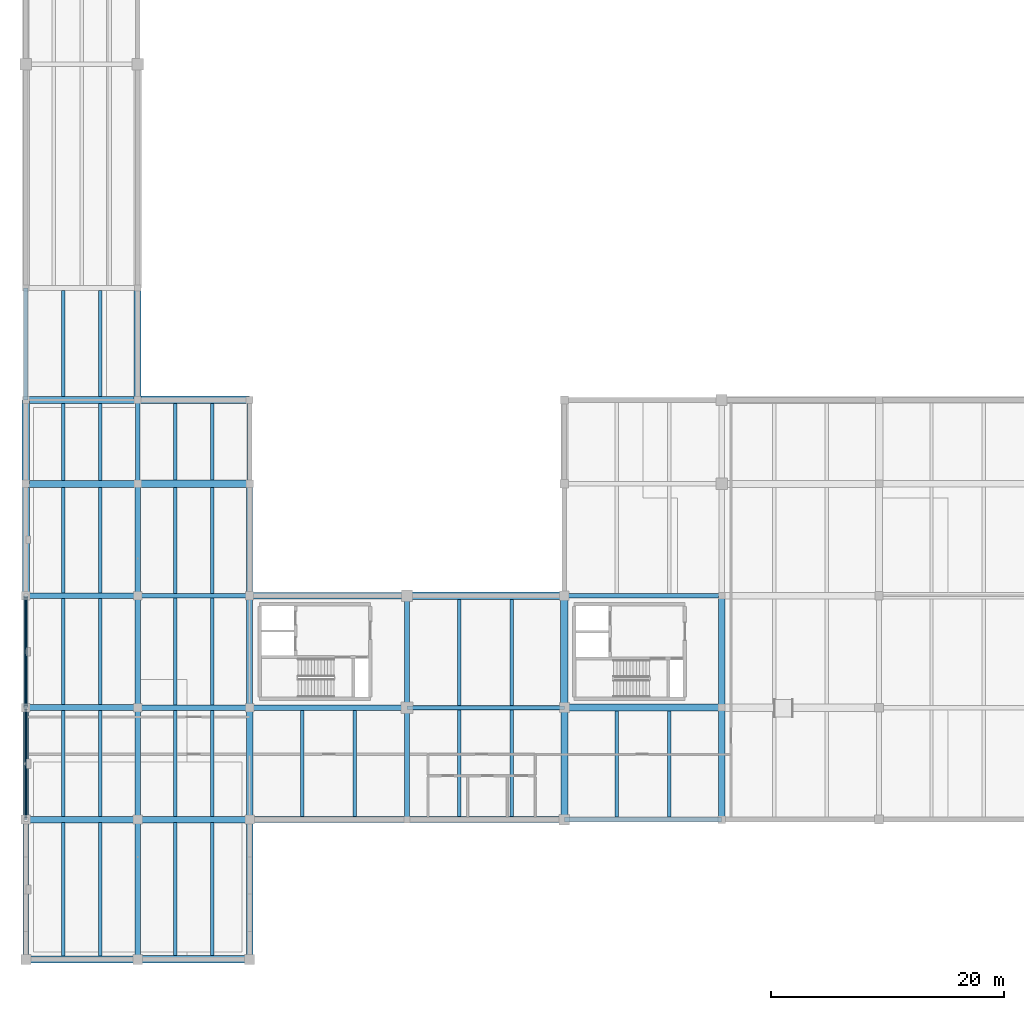
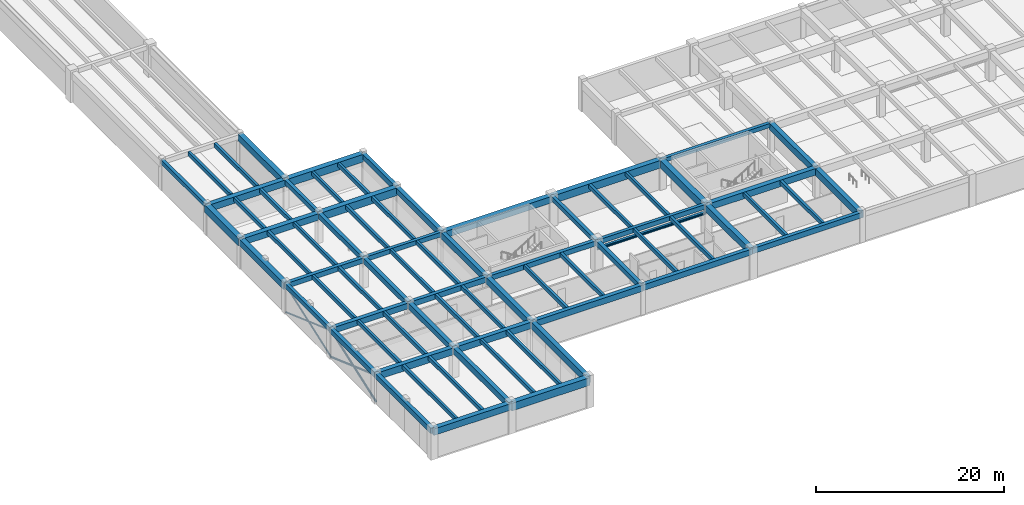
# One storey, part 3 of 28: 75 beams, 6 members.
"""IFC4 building model written with IfcOpenShell, lengths in metres."""

from ifc_helpers import new_model, si_unit, direction, frame, origin, origin_2d, place, context, subcontext, project, spatial, rectangle, hollow_circle, i_section, extrude, material, material_profile, profile_set, type_object, element, save


model = new_model("IFC4")

# Units and contexts
model_context = context("Model", 3, precision=1e-05, world=origin(), true_north=direction((0.0, 1.0)))
body_context = subcontext(model_context, "Body", "Model", "MODEL_VIEW")
ifc_project = project(units=[si_unit("LENGTHUNIT", "METRE"), si_unit("AREAUNIT", "SQUARE_METRE"), si_unit("VOLUMEUNIT", "CUBIC_METRE"), si_unit("PLANEANGLEUNIT", "RADIAN"), si_unit("MASSUNIT", "GRAM", prefix="KILO")], contexts=[model_context])

# Site, building, storey
site_placement = place(None, origin())
site = spatial("IfcSite", under=ifc_project, at=site_placement, CompositionType="ELEMENT")
building_placement = place(site_placement, origin())
building = spatial("IfcBuilding", under=site, at=building_placement, Name="Fikremerkos Civic Library", CompositionType="ELEMENT")
storey_placement = place(building_placement, frame((0.0, 0.0, -4.199951171875)))
storey = spatial("IfcBuildingStorey", under=building, at=storey_placement, Name="B01", CompositionType="ELEMENT", Elevation=-4.199951171875)

# Members
ifc_material_1 = material(Name="Steel S355", Category="steel")
ifc_material_profile_1 = material_profile(ifc_material_1, hollow_circle(Radius=0.122314453125, WallThickness=0.012451171875, at=origin_2d()), Name="CHS 244.5x12.5")
ifc_profile_set_1 = profile_set([ifc_material_profile_1], Name="Steel S355")
member_type_1 = type_object("IfcMemberType", Name="Diagonal brace BRC-04 CHS 244.5x12.5", PredefinedType="BRACE", material=ifc_profile_set_1)
member_1_placement = place(storey_placement, frame((0.0, 12.0, 0.0), z_axis=(0.0, 0.941700726216, 0.336451693775), x_axis=(-1.0, 0.0, 0.0)))
element("IfcMember", 1, at=member_1_placement, inside=storey, type_object=member_type_1, Name="Lateral X-brace continuous diagonal BRC-04 B01 #3", PredefinedType="BRACE", context=body_context, shape_type="SweptSolid", body=[
    extrude(hollow_circle(Radius=0.122314453125, WallThickness=0.012451171875, at=origin_2d()), origin(), (0.0, 0.0, 1.0), 10.1943359375),
])
for number, where, z_axis, x_axis, name in (
    (2, (0.0, 21.60009765625, 0.0), (0.0, -0.941704019234, 0.336442476746), (1.0, 0.0, 0.0), "Lateral X-brace split lower segment BRC-04 B01 #3"),
    (3, (0.0, 16.66796875, 1.76220703125), (0.0, -0.941704019234, 0.336442476746), (1.0, 0.0, 0.0), "Lateral X-brace split upper segment BRC-04 B01 #3"),
):
    element("IfcMember", number, at=place(storey_placement, frame(where, z_axis=z_axis, x_axis=x_axis)), inside=storey, type_object=member_type_1, Name=name, PredefinedType="BRACE", context=body_context, shape_type="SweptSolid", body=[
        extrude(hollow_circle(Radius=0.122314453125, WallThickness=0.012451171875, at=origin_2d()), origin(), (0.0, 0.0, 1.0), 4.95703125),
    ])
ifc_material_profile_2 = material_profile(ifc_material_1, hollow_circle(Radius=0.096923828125, WallThickness=0.010009765625, at=origin_2d()), Name="CHS 193.7x10")
ifc_profile_set_2 = profile_set([ifc_material_profile_2], Name="Steel S355")
member_type_2 = type_object("IfcMemberType", Name="Diagonal brace BRC-05 CHS 193.7x10", PredefinedType="BRACE", material=ifc_profile_set_2)
member_2_placement = place(storey_placement, frame((0.0, 21.60009765625, 0.0), z_axis=(0.0, 0.941698015167, 0.336459281684), x_axis=(-1.0, 0.0, 0.0)))
element("IfcMember", 4, at=member_2_placement, inside=storey, type_object=member_type_2, Name="Lateral X-brace continuous diagonal BRC-05 B01 #4", PredefinedType="BRACE", context=body_context, shape_type="SweptSolid", body=[
    extrude(hollow_circle(Radius=0.096923828125, WallThickness=0.010009765625, at=origin_2d()), origin(), (0.0, 0.0, 1.0), 10.194091796875),
])
for number, where, z_axis, x_axis, name in (
    (5, (0.0, 31.199951171875, 0.0), (0.0, -0.941704212484, 0.336441935837), (1.0, 0.0, 0.0), "Lateral X-brace split lower segment BRC-05 B01 #4"),
    (6, (0.0, 26.2919921875, 1.753662109375), (0.0, -0.941704212484, 0.336441935837), (1.0, 0.0, 0.0), "Lateral X-brace split upper segment BRC-05 B01 #4"),
):
    element("IfcMember", number, at=place(storey_placement, frame(where, z_axis=z_axis, x_axis=x_axis)), inside=storey, type_object=member_type_2, Name=name, PredefinedType="BRACE", context=body_context, shape_type="SweptSolid", body=[
        extrude(hollow_circle(Radius=0.096923828125, WallThickness=0.010009765625, at=origin_2d()), origin(), (0.0, 0.0, 1.0), 4.982421875),
    ])

# Beams
ifc_material_2 = material(Name="Concrete C40/50", Category="concrete")
ifc_material_profile_3 = material_profile(ifc_material_2, rectangle(XDim=0.300048828125, YDim=0.52001953125, at=origin_2d()), Name="RC 300x520")
ifc_profile_set_3 = profile_set([ifc_material_profile_3], Name="Concrete C40/50")
beam_type_1 = type_object("IfcBeamType", Name="Floor joist JS-03 RC 300x520", PredefinedType="JOIST", material=ifc_profile_set_3)
for number, where, z_axis, x_axis, name in (
    (7, (3.199951171875, 0.300048828125, 3.619873046875), (0.0, 1.0, 0.0), (-1.0, 0.0, 0.0), "Floor joist JS-03 B01 #138"),
    (8, (6.39990234375, 0.300048828125, 3.619873046875), (0.0, 1.0, 0.0), (-1.0, 0.0, 0.0), "Floor joist JS-03 B01 #139"),
):
    element("IfcBeam", number, at=place(storey_placement, frame(where, z_axis=z_axis, x_axis=x_axis)), inside=storey, type_object=beam_type_1, Name=name, PredefinedType="JOIST", context=body_context, shape_type="SweptSolid", body=[
        extrude(rectangle(XDim=0.300048828125, YDim=0.52001953125, at=origin_2d()), origin(), (0.0, 0.0, 1.0), 11.425048828125),
    ])
for number, where, z_axis, x_axis, name in (
    (9, (3.199951171875, 12.27490234375, 3.619873046875), (0.0, 1.0, 0.0), (-1.0, 0.0, 0.0), "Floor joist JS-03 B01 #140"),
    (10, (6.39990234375, 12.27490234375, 3.619873046875), (0.0, 1.0, 0.0), (-1.0, 0.0, 0.0), "Floor joist JS-03 B01 #141"),
):
    element("IfcBeam", number, at=place(storey_placement, frame(where, z_axis=z_axis, x_axis=x_axis)), inside=storey, type_object=beam_type_1, Name=name, PredefinedType="JOIST", context=body_context, shape_type="SweptSolid", body=[
        extrude(rectangle(XDim=0.300048828125, YDim=0.52001953125, at=origin_2d()), origin(), (0.0, 0.0, 1.0), 9.0751953125),
    ])
for number, where, z_axis, x_axis, name in (
    (11, (3.199951171875, 21.85009765625, 3.619873046875), (0.0, 1.0, 0.0), (-1.0, 0.0, 0.0), "Floor joist JS-03 B01 #142"),
    (12, (6.39990234375, 21.85009765625, 3.619873046875), (0.0, 1.0, 0.0), (-1.0, 0.0, 0.0), "Floor joist JS-03 B01 #143"),
):
    element("IfcBeam", number, at=place(storey_placement, frame(where, z_axis=z_axis, x_axis=x_axis)), inside=storey, type_object=beam_type_1, Name=name, PredefinedType="JOIST", context=body_context, shape_type="SweptSolid", body=[
        extrude(rectangle(XDim=0.300048828125, YDim=0.52001953125, at=origin_2d()), origin(), (0.0, 0.0, 1.0), 9.125),
    ])
for number, where, z_axis, x_axis, name in (
    (13, (3.199951171875, 31.425048828125, 3.619873046875), (0.0, 1.0, 0.0), (-1.0, 0.0, 0.0), "Floor joist JS-03 B01 #144"),
    (14, (6.39990234375, 31.425048828125, 3.619873046875), (0.0, 1.0, 0.0), (-1.0, 0.0, 0.0), "Floor joist JS-03 B01 #145"),
):
    element("IfcBeam", number, at=place(storey_placement, frame(where, z_axis=z_axis, x_axis=x_axis)), inside=storey, type_object=beam_type_1, Name=name, PredefinedType="JOIST", context=body_context, shape_type="SweptSolid", body=[
        extrude(rectangle(XDim=0.300048828125, YDim=0.52001953125, at=origin_2d()), origin(), (0.0, 0.0, 1.0), 9.074951171875),
    ])
for number, where, z_axis, x_axis, name in (
    (15, (3.199951171875, 41.10009765625, 3.619873046875), (0.0, 1.0, 0.0), (-1.0, 0.0, 0.0), "Floor joist JS-03 B01 #146"),
    (16, (6.39990234375, 41.10009765625, 3.619873046875), (0.0, 1.0, 0.0), (-1.0, 0.0, 0.0), "Floor joist JS-03 B01 #147"),
):
    element("IfcBeam", number, at=place(storey_placement, frame(where, z_axis=z_axis, x_axis=x_axis)), inside=storey, type_object=beam_type_1, Name=name, PredefinedType="JOIST", context=body_context, shape_type="SweptSolid", body=[
        extrude(rectangle(XDim=0.300048828125, YDim=0.52001953125, at=origin_2d()), origin(), (0.0, 0.0, 1.0), 6.599853515625),
    ])
for number, where, z_axis, x_axis, name in (
    (17, (3.199951171875, 48.300048828125, 3.659912109375), (0.0, 1.0, 0.0), (-1.0, 0.0, 0.0), "Floor joist JS-03 B01 #148"),
    (18, (6.39990234375, 48.300048828125, 3.659912109375), (0.0, 1.0, 0.0), (-1.0, 0.0, 0.0), "Floor joist JS-03 B01 #149"),
):
    element("IfcBeam", number, at=place(storey_placement, frame(where, z_axis=z_axis, x_axis=x_axis)), inside=storey, type_object=beam_type_1, Name=name, PredefinedType="JOIST", context=body_context, shape_type="SweptSolid", body=[
        extrude(rectangle(XDim=0.300048828125, YDim=0.52001953125, at=origin_2d()), origin(), (0.0, 0.0, 1.0), 9.099853515625),
    ])
for number, where, z_axis, x_axis, name in (
    (19, (12.800048828125, 0.324951171875, 3.619873046875), (0.0, 1.0, 0.0), (-1.0, 0.0, 0.0), "Floor joist JS-03 B01 #159"),
    (20, (16.0, 0.324951171875, 3.619873046875), (0.0, 1.0, 0.0), (-1.0, 0.0, 0.0), "Floor joist JS-03 B01 #160"),
):
    element("IfcBeam", number, at=place(storey_placement, frame(where, z_axis=z_axis, x_axis=x_axis)), inside=storey, type_object=beam_type_1, Name=name, PredefinedType="JOIST", context=body_context, shape_type="SweptSolid", body=[
        extrude(rectangle(XDim=0.300048828125, YDim=0.52001953125, at=origin_2d()), origin(), (0.0, 0.0, 1.0), 11.400146484375),
    ])
for number, where, z_axis, x_axis, name in (
    (21, (12.800048828125, 12.27490234375, 3.619873046875), (0.0, 1.0, 0.0), (-1.0, 0.0, 0.0), "Floor joist JS-03 B01 #161"),
    (22, (16.0, 12.27490234375, 3.619873046875), (0.0, 1.0, 0.0), (-1.0, 0.0, 0.0), "Floor joist JS-03 B01 #162"),
):
    element("IfcBeam", number, at=place(storey_placement, frame(where, z_axis=z_axis, x_axis=x_axis)), inside=storey, type_object=beam_type_1, Name=name, PredefinedType="JOIST", context=body_context, shape_type="SweptSolid", body=[
        extrude(rectangle(XDim=0.300048828125, YDim=0.52001953125, at=origin_2d()), origin(), (0.0, 0.0, 1.0), 9.10009765625),
    ])
for number, where, z_axis, x_axis, name in (
    (23, (12.800048828125, 21.824951171875, 3.619873046875), (0.0, 1.0, 0.0), (-1.0, 0.0, 0.0), "Floor joist JS-03 B01 #163"),
    (24, (16.0, 21.824951171875, 3.619873046875), (0.0, 1.0, 0.0), (-1.0, 0.0, 0.0), "Floor joist JS-03 B01 #164"),
):
    element("IfcBeam", number, at=place(storey_placement, frame(where, z_axis=z_axis, x_axis=x_axis)), inside=storey, type_object=beam_type_1, Name=name, PredefinedType="JOIST", context=body_context, shape_type="SweptSolid", body=[
        extrude(rectangle(XDim=0.300048828125, YDim=0.52001953125, at=origin_2d()), origin(), (0.0, 0.0, 1.0), 9.175048828125),
    ])
for number, where, z_axis, x_axis, name in (
    (25, (12.800048828125, 31.39990234375, 3.619873046875), (0.0, 1.0, 0.0), (-1.0, 0.0, 0.0), "Floor joist JS-03 B01 #165"),
    (26, (16.0, 31.39990234375, 3.619873046875), (0.0, 1.0, 0.0), (-1.0, 0.0, 0.0), "Floor joist JS-03 B01 #166"),
):
    element("IfcBeam", number, at=place(storey_placement, frame(where, z_axis=z_axis, x_axis=x_axis)), inside=storey, type_object=beam_type_1, Name=name, PredefinedType="JOIST", context=body_context, shape_type="SweptSolid", body=[
        extrude(rectangle(XDim=0.300048828125, YDim=0.52001953125, at=origin_2d()), origin(), (0.0, 0.0, 1.0), 9.0751953125),
    ])
for number, where, z_axis, x_axis, name in (
    (27, (12.800048828125, 41.125, 3.619873046875), (0.0, 1.0, 0.0), (-1.0, 0.0, 0.0), "Floor joist JS-03 B01 #167"),
    (28, (16.0, 41.125, 3.619873046875), (0.0, 1.0, 0.0), (-1.0, 0.0, 0.0), "Floor joist JS-03 B01 #168"),
):
    element("IfcBeam", number, at=place(storey_placement, frame(where, z_axis=z_axis, x_axis=x_axis)), inside=storey, type_object=beam_type_1, Name=name, PredefinedType="JOIST", context=body_context, shape_type="SweptSolid", body=[
        extrude(rectangle(XDim=0.300048828125, YDim=0.52001953125, at=origin_2d()), origin(), (0.0, 0.0, 1.0), 6.550048828125),
    ])
for number, where, z_axis, x_axis, name in (
    (29, (23.699951171875, 12.25, 3.599853515625), (0.0, 1.0, 0.0), (-1.0, 0.0, 0.0), "Floor joist JS-03 B01 #169"),
    (30, (28.199951171875, 12.25, 3.599853515625), (0.0, 1.0, 0.0), (-1.0, 0.0, 0.0), "Floor joist JS-03 B01 #170"),
):
    element("IfcBeam", number, at=place(storey_placement, frame(where, z_axis=z_axis, x_axis=x_axis)), inside=storey, type_object=beam_type_1, Name=name, PredefinedType="JOIST", context=body_context, shape_type="SweptSolid", body=[
        extrude(rectangle(XDim=0.300048828125, YDim=0.52001953125, at=origin_2d()), origin(), (0.0, 0.0, 1.0), 9.125),
    ])
for number, where, z_axis, x_axis, name in (
    (31, (37.199951171875, 12.25, 3.599853515625), (0.0, 1.0, 0.0), (-1.0, 0.0, 0.0), "Floor joist JS-03 B01 #171"),
    (32, (41.699951171875, 12.25, 3.599853515625), (0.0, 1.0, 0.0), (-1.0, 0.0, 0.0), "Floor joist JS-03 B01 #172"),
):
    element("IfcBeam", number, at=place(storey_placement, frame(where, z_axis=z_axis, x_axis=x_axis)), inside=storey, type_object=beam_type_1, Name=name, PredefinedType="JOIST", context=body_context, shape_type="SweptSolid", body=[
        extrude(rectangle(XDim=0.300048828125, YDim=0.52001953125, at=origin_2d()), origin(), (0.0, 0.0, 1.0), 9.14990234375),
    ])
for number, where, z_axis, x_axis, name in (
    (33, (37.199951171875, 21.800048828125, 3.599853515625), (0.0, 1.0, 0.0), (-1.0, 0.0, 0.0), "Floor joist JS-03 B01 #173"),
    (34, (41.699951171875, 21.800048828125, 3.599853515625), (0.0, 1.0, 0.0), (-1.0, 0.0, 0.0), "Floor joist JS-03 B01 #174"),
    (35, (50.699951171875, 12.22509765625, 3.599853515625), (0.0, 1.0, 0.0), (-1.0, 0.0, 0.0), "Floor joist JS-03 B01 #175"),
    (36, (55.199951171875, 12.22509765625, 3.599853515625), (0.0, 1.0, 0.0), (-1.0, 0.0, 0.0), "Floor joist JS-03 B01 #176"),
):
    element("IfcBeam", number, at=place(storey_placement, frame(where, z_axis=z_axis, x_axis=x_axis)), inside=storey, type_object=beam_type_1, Name=name, PredefinedType="JOIST", context=body_context, shape_type="SweptSolid", body=[
        extrude(rectangle(XDim=0.300048828125, YDim=0.52001953125, at=origin_2d()), origin(), (0.0, 0.0, 1.0), 9.074951171875),
    ])
ifc_material_profile_4 = material_profile(ifc_material_1, i_section(OverallWidth=0.300048828125, OverallDepth=0.2900390625, WebThickness=0.008544921875, FlangeThickness=0.013916015625, FilletRadius=0.027099609375, at=origin_2d()), Name="HEA 300")
ifc_profile_set_4 = profile_set([ifc_material_profile_4], Name="Steel S355")
beam_type_2 = type_object("IfcBeamType", Name="Opening lintel LNT-03 HEA 300", PredefinedType="LINTEL", material=ifc_profile_set_4)
beam_1_placement = place(storey_placement, frame((32.699951171875, 21.60009765625, 2.64501953125), z_axis=(1.0, 0.0, 0.0), x_axis=(0.0, 1.0, 0.0)))
element("IfcBeam", 37, at=beam_1_placement, inside=storey, type_object=beam_type_2, Name="Interior portal lintel LNT-03 B01 #3", PredefinedType="LINTEL", context=body_context, shape_type="SweptSolid", body=[
    extrude(i_section(OverallWidth=0.300048828125, OverallDepth=0.2900390625, WebThickness=0.008544921875, FlangeThickness=0.013916015625, FilletRadius=0.027099609375, at=origin_2d()), origin(), (0.0, 0.0, 1.0), 13.5),
])
ifc_material_profile_5 = material_profile(ifc_material_2, rectangle(XDim=0.550048828125, YDim=0.89990234375, at=origin_2d()), Name="RC 550x900")
ifc_profile_set_5 = profile_set([ifc_material_profile_5], Name="Concrete C40/50")
beam_type_3 = type_object("IfcBeamType", Name="Primary girder BM-02 RC 550x900", PredefinedType="BEAM", material=ifc_profile_set_5)
beam_2_placement = place(storey_placement, frame((0.0, 12.0, 3.429931640625), z_axis=(1.0, 0.0, 0.0), x_axis=(0.0, 1.0, 0.0)))
element("IfcBeam", 38, at=beam_2_placement, inside=storey, type_object=beam_type_3, Name="Primary girder BM-02 B01 grid E", PredefinedType="BEAM", context=body_context, shape_type="SweptSolid", body=[
    extrude(rectangle(XDim=0.550048828125, YDim=0.89990234375, at=origin_2d()), origin(), (0.0, 0.0, 1.0), 9.60009765625),
])
beam_3_placement = place(storey_placement, frame((19.199951171875, 0.0, 3.429931640625), z_axis=(0.0, 1.0, 0.0), x_axis=(-1.0, 0.0, 0.0)))
element("IfcBeam", 39, at=beam_3_placement, inside=storey, type_object=beam_type_3, Name="Primary girder BM-02 B01 grid 3", PredefinedType="BEAM", context=body_context, shape_type="SweptSolid", body=[
    extrude(rectangle(XDim=0.550048828125, YDim=0.89990234375, at=origin_2d()), origin(), (0.0, 0.0, 1.0), 12.0),
])
beam_4_placement = place(storey_placement, frame((59.699951171875, 12.0, 3.409912109375), z_axis=(0.0, 1.0, 0.0), x_axis=(-1.0, 0.0, 0.0)))
element("IfcBeam", 40, at=beam_4_placement, inside=storey, type_object=beam_type_3, Name="Primary girder BM-02 B01 grid 6", PredefinedType="BEAM", context=body_context, shape_type="SweptSolid", body=[
    extrude(rectangle(XDim=0.550048828125, YDim=0.89990234375, at=origin_2d()), origin(), (0.0, 0.0, 1.0), 9.60009765625),
])
ifc_material_profile_6 = material_profile(ifc_material_2, rectangle(XDim=0.550048828125, YDim=0.85009765625, at=origin_2d()), Name="RC 550x850")
ifc_profile_set_6 = profile_set([ifc_material_profile_6], Name="Concrete C40/50")
beam_type_4 = type_object("IfcBeamType", Name="Primary girder BM-03 RC 550x850", PredefinedType="BEAM", material=ifc_profile_set_6)
beam_5_placement = place(storey_placement, frame((9.60009765625, 12.0, 3.454833984375), z_axis=(1.0, 0.0, 0.0), x_axis=(0.0, 1.0, 0.0)))
element("IfcBeam", 41, at=beam_5_placement, inside=storey, type_object=beam_type_4, Name="Primary girder BM-03 B01 grid E", PredefinedType="BEAM", context=body_context, shape_type="SweptSolid", body=[
    extrude(rectangle(XDim=0.550048828125, YDim=0.85009765625, at=origin_2d()), origin(), (0.0, 0.0, 1.0), 9.599853515625),
])
beam_6_placement = place(storey_placement, frame((19.199951171875, 12.0, 3.43505859375), z_axis=(0.0, 1.0, 0.0), x_axis=(-1.0, 0.0, 0.0)))
element("IfcBeam", 42, at=beam_6_placement, inside=storey, type_object=beam_type_4, Name="Primary girder BM-03 B01 grid 3", PredefinedType="BEAM", context=body_context, shape_type="SweptSolid", body=[
    extrude(rectangle(XDim=0.550048828125, YDim=0.85009765625, at=origin_2d()), origin(), (0.0, 0.0, 1.0), 9.60009765625),
])
beam_7_placement = place(storey_placement, frame((59.699951171875, 21.60009765625, 3.43505859375), z_axis=(0.0, 1.0, 0.0), x_axis=(-1.0, 0.0, 0.0)))
element("IfcBeam", 43, at=beam_7_placement, inside=storey, type_object=beam_type_4, Name="Primary girder BM-03 B01 grid 6", PredefinedType="BEAM", context=body_context, shape_type="SweptSolid", body=[
    extrude(rectangle(XDim=0.550048828125, YDim=0.85009765625, at=origin_2d()), origin(), (0.0, 0.0, 1.0), 9.599853515625),
])
ifc_material_profile_7 = material_profile(ifc_material_2, rectangle(XDim=0.5, YDim=0.800048828125, at=origin_2d()), Name="RC 500x800")
ifc_profile_set_7 = profile_set([ifc_material_profile_7], Name="Concrete C40/50")
beam_type_5 = type_object("IfcBeamType", Name="Primary girder BM-04 RC 500x800", PredefinedType="BEAM", material=ifc_profile_set_7)
beam_8_placement = place(storey_placement, frame((19.199951171875, 12.0, 3.4599609375), z_axis=(1.0, 0.0, 0.0), x_axis=(0.0, 1.0, 0.0)))
element("IfcBeam", 44, at=beam_8_placement, inside=storey, type_object=beam_type_5, Name="Primary girder BM-04 B01 grid E", PredefinedType="BEAM", context=body_context, shape_type="SweptSolid", body=[
    extrude(rectangle(XDim=0.5, YDim=0.800048828125, at=origin_2d()), origin(), (0.0, 0.0, 1.0), 13.5),
])
beam_9_placement = place(storey_placement, frame((9.60009765625, 0.0, 3.47998046875), z_axis=(0.0, 1.0, 0.0), x_axis=(-1.0, 0.0, 0.0)))
element("IfcBeam", 45, at=beam_9_placement, inside=storey, type_object=beam_type_5, Name="Primary girder BM-04 B01 grid 2", PredefinedType="BEAM", context=body_context, shape_type="SweptSolid", body=[
    extrude(rectangle(XDim=0.5, YDim=0.800048828125, at=origin_2d()), origin(), (0.0, 0.0, 1.0), 12.0),
])
beam_10_placement = place(storey_placement, frame((19.199951171875, 21.60009765625, 3.4599609375), z_axis=(0.0, 1.0, 0.0), x_axis=(-1.0, 0.0, 0.0)))
element("IfcBeam", 46, at=beam_10_placement, inside=storey, type_object=beam_type_5, Name="Primary girder BM-04 B01 grid 3", PredefinedType="BEAM", context=body_context, shape_type="SweptSolid", body=[
    extrude(rectangle(XDim=0.5, YDim=0.800048828125, at=origin_2d()), origin(), (0.0, 0.0, 1.0), 9.599853515625),
])
ifc_material_profile_8 = material_profile(ifc_material_2, rectangle(XDim=0.5, YDim=0.75, at=origin_2d()), Name="RC 500x750")
ifc_profile_set_8 = profile_set([ifc_material_profile_8], Name="Concrete C40/50")
beam_type_6 = type_object("IfcBeamType", Name="Primary girder BM-05 RC 500x750", PredefinedType="BEAM", material=ifc_profile_set_8)
beam_11_placement = place(storey_placement, frame((32.699951171875, 12.0, 3.48486328125), z_axis=(1.0, 0.0, 0.0), x_axis=(0.0, 1.0, 0.0)))
element("IfcBeam", 47, at=beam_11_placement, inside=storey, type_object=beam_type_6, Name="Primary girder BM-05 B01 grid E", PredefinedType="BEAM", context=body_context, shape_type="SweptSolid", body=[
    extrude(rectangle(XDim=0.5, YDim=0.75, at=origin_2d()), origin(), (0.0, 0.0, 1.0), 13.5),
])
for number, where, z_axis, x_axis, name in (
    (48, (0.0, 21.60009765625, 3.5048828125), (1.0, 0.0, 0.0), (0.0, 1.0, 0.0), "Primary girder BM-05 B01 grid F"),
    (49, (9.60009765625, 12.0, 3.5048828125), (0.0, 1.0, 0.0), (-1.0, 0.0, 0.0), "Primary girder BM-05 B01 grid 2"),
    (50, (19.199951171875, 31.199951171875, 3.5048828125), (0.0, 1.0, 0.0), (-1.0, 0.0, 0.0), "Primary girder BM-05 B01 grid 3"),
):
    element("IfcBeam", number, at=place(storey_placement, frame(where, z_axis=z_axis, x_axis=x_axis)), inside=storey, type_object=beam_type_6, Name=name, PredefinedType="BEAM", context=body_context, shape_type="SweptSolid", body=[
        extrude(rectangle(XDim=0.5, YDim=0.75, at=origin_2d()), origin(), (0.0, 0.0, 1.0), 9.60009765625),
    ])
ifc_material_profile_9 = material_profile(ifc_material_2, rectangle(XDim=0.449951171875, YDim=0.699951171875, at=origin_2d()), Name="RC 450x700")
ifc_profile_set_9 = profile_set([ifc_material_profile_9], Name="Concrete C40/50")
beam_type_7 = type_object("IfcBeamType", Name="Primary girder BM-06 RC 450x700", PredefinedType="BEAM", material=ifc_profile_set_9)
beam_12_placement = place(storey_placement, frame((46.199951171875, 12.0, 3.510009765625), z_axis=(1.0, 0.0, 0.0), x_axis=(0.0, 1.0, 0.0)))
element("IfcBeam", 51, at=beam_12_placement, inside=storey, type_object=beam_type_7, Name="Primary girder BM-06 B01 grid E", PredefinedType="BEAM", context=body_context, shape_type="SweptSolid", body=[
    extrude(rectangle(XDim=0.449951171875, YDim=0.699951171875, at=origin_2d()), origin(), (0.0, 0.0, 1.0), 13.5),
])
beam_13_placement = place(storey_placement, frame((9.60009765625, 21.60009765625, 3.530029296875), z_axis=(1.0, 0.0, 0.0), x_axis=(0.0, 1.0, 0.0)))
element("IfcBeam", 52, at=beam_13_placement, inside=storey, type_object=beam_type_7, Name="Primary girder BM-06 B01 grid F", PredefinedType="BEAM", context=body_context, shape_type="SweptSolid", body=[
    extrude(rectangle(XDim=0.449951171875, YDim=0.699951171875, at=origin_2d()), origin(), (0.0, 0.0, 1.0), 9.599853515625),
])
beam_14_placement = place(storey_placement, frame((0.0, 0.0, 3.530029296875), z_axis=(0.0, 1.0, 0.0), x_axis=(-1.0, 0.0, 0.0)))
element("IfcBeam", 53, at=beam_14_placement, inside=storey, type_object=beam_type_7, Name="Primary girder BM-06 B01 grid 1", PredefinedType="BEAM", context=body_context, shape_type="SweptSolid", body=[
    extrude(rectangle(XDim=0.449951171875, YDim=0.699951171875, at=origin_2d()), origin(), (0.0, 0.0, 1.0), 12.0),
])
beam_15_placement = place(storey_placement, frame((9.60009765625, 21.60009765625, 3.530029296875), z_axis=(0.0, 1.0, 0.0), x_axis=(-1.0, 0.0, 0.0)))
element("IfcBeam", 54, at=beam_15_placement, inside=storey, type_object=beam_type_7, Name="Primary girder BM-06 B01 grid 2", PredefinedType="BEAM", context=body_context, shape_type="SweptSolid", body=[
    extrude(rectangle(XDim=0.449951171875, YDim=0.699951171875, at=origin_2d()), origin(), (0.0, 0.0, 1.0), 9.599853515625),
])
beam_16_placement = place(storey_placement, frame((19.199951171875, 40.800048828125, 3.530029296875), z_axis=(0.0, 1.0, 0.0), x_axis=(-1.0, 0.0, 0.0)))
element("IfcBeam", 55, at=beam_16_placement, inside=storey, type_object=beam_type_7, Name="Primary girder BM-06 B01 grid 3", PredefinedType="BEAM", context=body_context, shape_type="SweptSolid", body=[
    extrude(rectangle(XDim=0.449951171875, YDim=0.699951171875, at=origin_2d()), origin(), (0.0, 0.0, 1.0), 7.199951171875),
])
ifc_material_profile_10 = material_profile(ifc_material_2, rectangle(XDim=0.449951171875, YDim=0.64990234375, at=origin_2d()), Name="RC 450x650")
ifc_profile_set_10 = profile_set([ifc_material_profile_10], Name="Concrete C40/50")
beam_type_8 = type_object("IfcBeamType", Name="Primary girder BM-07 RC 450x650", PredefinedType="BEAM", material=ifc_profile_set_10)
beam_17_placement = place(storey_placement, frame((19.199951171875, 21.60009765625, 3.534912109375), z_axis=(1.0, 0.0, 0.0), x_axis=(0.0, 1.0, 0.0)))
element("IfcBeam", 56, at=beam_17_placement, inside=storey, type_object=beam_type_8, Name="Primary girder BM-07 B01 grid F", PredefinedType="BEAM", context=body_context, shape_type="SweptSolid", body=[
    extrude(rectangle(XDim=0.449951171875, YDim=0.64990234375, at=origin_2d()), origin(), (0.0, 0.0, 1.0), 13.5),
])
for number, where, z_axis, x_axis, name in (
    (57, (0.0, 31.199951171875, 3.554931640625), (1.0, 0.0, 0.0), (0.0, 1.0, 0.0), "Primary girder BM-07 B01 grid G"),
    (58, (0.0, 12.0, 3.554931640625), (0.0, 1.0, 0.0), (-1.0, 0.0, 0.0), "Primary girder BM-07 B01 grid 1"),
    (59, (9.60009765625, 31.199951171875, 3.554931640625), (0.0, 1.0, 0.0), (-1.0, 0.0, 0.0), "Primary girder BM-07 B01 grid 2"),
    (60, (32.699951171875, 12.0, 3.534912109375), (0.0, 1.0, 0.0), (-1.0, 0.0, 0.0), "Primary girder BM-07 B01 grid 4"),
):
    element("IfcBeam", number, at=place(storey_placement, frame(where, z_axis=z_axis, x_axis=x_axis)), inside=storey, type_object=beam_type_8, Name=name, PredefinedType="BEAM", context=body_context, shape_type="SweptSolid", body=[
        extrude(rectangle(XDim=0.449951171875, YDim=0.64990234375, at=origin_2d()), origin(), (0.0, 0.0, 1.0), 9.60009765625),
    ])
ifc_material_profile_11 = material_profile(ifc_material_2, rectangle(XDim=0.39990234375, YDim=0.60009765625, at=origin_2d()), Name="RC 400x600")
ifc_profile_set_11 = profile_set([ifc_material_profile_11], Name="Concrete C40/50")
beam_type_9 = type_object("IfcBeamType", Name="Primary girder BM-08 RC 400x600", PredefinedType="BEAM", material=ifc_profile_set_11)
beam_18_placement = place(storey_placement, frame((32.699951171875, 21.60009765625, 3.56005859375), z_axis=(1.0, 0.0, 0.0), x_axis=(0.0, 1.0, 0.0)))
element("IfcBeam", 61, at=beam_18_placement, inside=storey, type_object=beam_type_9, Name="Primary girder BM-08 B01 grid F", PredefinedType="BEAM", context=body_context, shape_type="SweptSolid", body=[
    extrude(rectangle(XDim=0.39990234375, YDim=0.60009765625, at=origin_2d()), origin(), (0.0, 0.0, 1.0), 13.5),
])
for number, where, z_axis, x_axis, name in (
    (62, (9.60009765625, 31.199951171875, 3.579833984375), (1.0, 0.0, 0.0), (0.0, 1.0, 0.0), "Primary girder BM-08 B01 grid G"),
    (63, (0.0, 21.60009765625, 3.579833984375), (0.0, 1.0, 0.0), (-1.0, 0.0, 0.0), "Primary girder BM-08 B01 grid 1"),
):
    element("IfcBeam", number, at=place(storey_placement, frame(where, z_axis=z_axis, x_axis=x_axis)), inside=storey, type_object=beam_type_9, Name=name, PredefinedType="BEAM", context=body_context, shape_type="SweptSolid", body=[
        extrude(rectangle(XDim=0.39990234375, YDim=0.60009765625, at=origin_2d()), origin(), (0.0, 0.0, 1.0), 9.599853515625),
    ])
beam_19_placement = place(storey_placement, frame((9.60009765625, 40.800048828125, 3.579833984375), z_axis=(0.0, 1.0, 0.0), x_axis=(-1.0, 0.0, 0.0)))
element("IfcBeam", 64, at=beam_19_placement, inside=storey, type_object=beam_type_9, Name="Primary girder BM-08 B01 grid 2", PredefinedType="BEAM", context=body_context, shape_type="SweptSolid", body=[
    extrude(rectangle(XDim=0.39990234375, YDim=0.60009765625, at=origin_2d()), origin(), (0.0, 0.0, 1.0), 7.199951171875),
])
beam_20_placement = place(storey_placement, frame((32.699951171875, 21.60009765625, 3.56005859375), z_axis=(0.0, 1.0, 0.0), x_axis=(-1.0, 0.0, 0.0)))
element("IfcBeam", 65, at=beam_20_placement, inside=storey, type_object=beam_type_9, Name="Primary girder BM-08 B01 grid 4", PredefinedType="BEAM", context=body_context, shape_type="SweptSolid", body=[
    extrude(rectangle(XDim=0.39990234375, YDim=0.60009765625, at=origin_2d()), origin(), (0.0, 0.0, 1.0), 9.599853515625),
])
ifc_material_profile_12 = material_profile(ifc_material_2, rectangle(XDim=0.60009765625, YDim=0.85009765625, at=origin_2d()), Name="RC 600x850")
ifc_profile_set_12 = profile_set([ifc_material_profile_12], Name="Concrete C40/50")
beam_type_10 = type_object("IfcBeamType", Name="Primary girder BM-24 RC 600x850", PredefinedType="BEAM", material=ifc_profile_set_12)
beam_21_placement = place(storey_placement, frame((0.0, 0.0, 3.454833984375), z_axis=(1.0, 0.0, 0.0), x_axis=(0.0, 1.0, 0.0)))
element("IfcBeam", 66, at=beam_21_placement, inside=storey, type_object=beam_type_10, Name="Primary girder BM-24 B01 grid A", PredefinedType="BEAM", context=body_context, shape_type="SweptSolid", body=[
    extrude(rectangle(XDim=0.60009765625, YDim=0.85009765625, at=origin_2d()), origin(), (0.0, 0.0, 1.0), 9.60009765625),
])
for number, where, z_axis, x_axis, name in (
    (67, (46.199951171875, 21.60009765625, 3.43505859375), (1.0, 0.0, 0.0), (0.0, 1.0, 0.0), "Primary girder BM-24 B01 grid F"),
    (68, (19.199951171875, 31.199951171875, 3.43505859375), (1.0, 0.0, 0.0), (0.0, 1.0, 0.0), "Primary girder BM-24 B01 grid G"),
):
    element("IfcBeam", number, at=place(storey_placement, frame(where, z_axis=z_axis, x_axis=x_axis)), inside=storey, type_object=beam_type_10, Name=name, PredefinedType="BEAM", context=body_context, shape_type="SweptSolid", body=[
        extrude(rectangle(XDim=0.60009765625, YDim=0.85009765625, at=origin_2d()), origin(), (0.0, 0.0, 1.0), 13.5),
    ])
for number, where, z_axis, x_axis, name in (
    (69, (0.0, 40.800048828125, 3.454833984375), (1.0, 0.0, 0.0), (0.0, 1.0, 0.0), "Primary girder BM-24 B01 grid H"),
    (70, (0.0, 48.0, 3.454833984375), (1.0, 0.0, 0.0), (0.0, 1.0, 0.0), "Primary girder BM-24 B01 grid J"),
    (71, (0.0, 31.199951171875, 3.454833984375), (0.0, 1.0, 0.0), (-1.0, 0.0, 0.0), "Primary girder BM-24 B01 grid 1"),
    (72, (9.60009765625, 48.0, 3.494873046875), (0.0, 1.0, 0.0), (-1.0, 0.0, 0.0), "Primary girder BM-24 B01 grid 2"),
    (73, (46.199951171875, 12.0, 3.43505859375), (0.0, 1.0, 0.0), (-1.0, 0.0, 0.0), "Primary girder BM-24 B01 grid 5"),
):
    element("IfcBeam", number, at=place(storey_placement, frame(where, z_axis=z_axis, x_axis=x_axis)), inside=storey, type_object=beam_type_10, Name=name, PredefinedType="BEAM", context=body_context, shape_type="SweptSolid", body=[
        extrude(rectangle(XDim=0.60009765625, YDim=0.85009765625, at=origin_2d()), origin(), (0.0, 0.0, 1.0), 9.60009765625),
    ])
ifc_material_3 = material(Name="Concrete C45/55", Category="concrete")
ifc_material_profile_13 = material_profile(ifc_material_3, rectangle(XDim=0.64990234375, YDim=1.0, at=origin_2d()), Name="RC 650x1000")
ifc_profile_set_13 = profile_set([ifc_material_profile_13], Name="Concrete C45/55")
beam_type_11 = type_object("IfcBeamType", Name="Primary girder BM-25 RC 650x1000", PredefinedType="BEAM", material=ifc_profile_set_13)
beam_22_placement = place(storey_placement, frame((9.60009765625, 0.0, 3.3798828125), z_axis=(1.0, 0.0, 0.0), x_axis=(0.0, 1.0, 0.0)))
element("IfcBeam", 74, at=beam_22_placement, inside=storey, type_object=beam_type_11, Name="Primary girder BM-25 B01 grid A", PredefinedType="BEAM", context=body_context, shape_type="SweptSolid", body=[
    extrude(rectangle(XDim=0.64990234375, YDim=1.0, at=origin_2d()), origin(), (0.0, 0.0, 1.0), 9.599853515625),
])
beam_23_placement = place(storey_placement, frame((32.699951171875, 31.199951171875, 3.35986328125), z_axis=(1.0, 0.0, 0.0), x_axis=(0.0, 1.0, 0.0)))
element("IfcBeam", 75, at=beam_23_placement, inside=storey, type_object=beam_type_11, Name="Primary girder BM-25 B01 grid G", PredefinedType="BEAM", context=body_context, shape_type="SweptSolid", body=[
    extrude(rectangle(XDim=0.64990234375, YDim=1.0, at=origin_2d()), origin(), (0.0, 0.0, 1.0), 13.5),
])
for number, where, z_axis, x_axis, name in (
    (76, (9.60009765625, 40.800048828125, 3.3798828125), (1.0, 0.0, 0.0), (0.0, 1.0, 0.0), "Primary girder BM-25 B01 grid H"),
    (77, (9.60009765625, 48.0, 3.3798828125), (1.0, 0.0, 0.0), (0.0, 1.0, 0.0), "Primary girder BM-25 B01 grid J"),
):
    element("IfcBeam", number, at=place(storey_placement, frame(where, z_axis=z_axis, x_axis=x_axis)), inside=storey, type_object=beam_type_11, Name=name, PredefinedType="BEAM", context=body_context, shape_type="SweptSolid", body=[
        extrude(rectangle(XDim=0.64990234375, YDim=1.0, at=origin_2d()), origin(), (0.0, 0.0, 1.0), 9.599853515625),
    ])
beam_24_placement = place(storey_placement, frame((0.0, 40.800048828125, 3.3798828125), z_axis=(0.0, 1.0, 0.0), x_axis=(-1.0, 0.0, 0.0)))
element("IfcBeam", 78, at=beam_24_placement, inside=storey, type_object=beam_type_11, Name="Primary girder BM-25 B01 grid 1", PredefinedType="BEAM", context=body_context, shape_type="SweptSolid", body=[
    extrude(rectangle(XDim=0.64990234375, YDim=1.0, at=origin_2d()), origin(), (0.0, 0.0, 1.0), 7.199951171875),
])
beam_25_placement = place(storey_placement, frame((46.199951171875, 21.60009765625, 3.35986328125), z_axis=(0.0, 1.0, 0.0), x_axis=(-1.0, 0.0, 0.0)))
element("IfcBeam", 79, at=beam_25_placement, inside=storey, type_object=beam_type_11, Name="Primary girder BM-25 B01 grid 5", PredefinedType="BEAM", context=body_context, shape_type="SweptSolid", body=[
    extrude(rectangle(XDim=0.64990234375, YDim=1.0, at=origin_2d()), origin(), (0.0, 0.0, 1.0), 9.599853515625),
])
ifc_material_profile_14 = material_profile(ifc_material_2, rectangle(XDim=0.39990234375, YDim=0.550048828125, at=origin_2d()), Name="RC 400x550")
ifc_profile_set_14 = profile_set([ifc_material_profile_14], Name="Concrete C40/50")
beam_type_12 = type_object("IfcBeamType", Name="Primary girder BM-26 RC 400x550", PredefinedType="BEAM", material=ifc_profile_set_14)
beam_26_placement = place(storey_placement, frame((46.199951171875, 31.199951171875, 3.5849609375), z_axis=(1.0, 0.0, 0.0), x_axis=(0.0, 1.0, 0.0)))
element("IfcBeam", 80, at=beam_26_placement, inside=storey, type_object=beam_type_12, Name="Primary girder BM-26 B01 grid G", PredefinedType="BEAM", context=body_context, shape_type="SweptSolid", body=[
    extrude(rectangle(XDim=0.39990234375, YDim=0.550048828125, at=origin_2d()), origin(), (0.0, 0.0, 1.0), 13.5),
])
beam_27_placement = place(storey_placement, frame((0.0, 48.0, 3.64501953125), z_axis=(0.0, 1.0, 0.0), x_axis=(-1.0, 0.0, 0.0)))
element("IfcBeam", 81, at=beam_27_placement, inside=storey, type_object=beam_type_12, Name="Primary girder BM-26 B01 grid 1", PredefinedType="BEAM", context=body_context, shape_type="SweptSolid", body=[
    extrude(rectangle(XDim=0.39990234375, YDim=0.550048828125, at=origin_2d()), origin(), (0.0, 0.0, 1.0), 9.60009765625),
])

save(model, "model.ifc")
